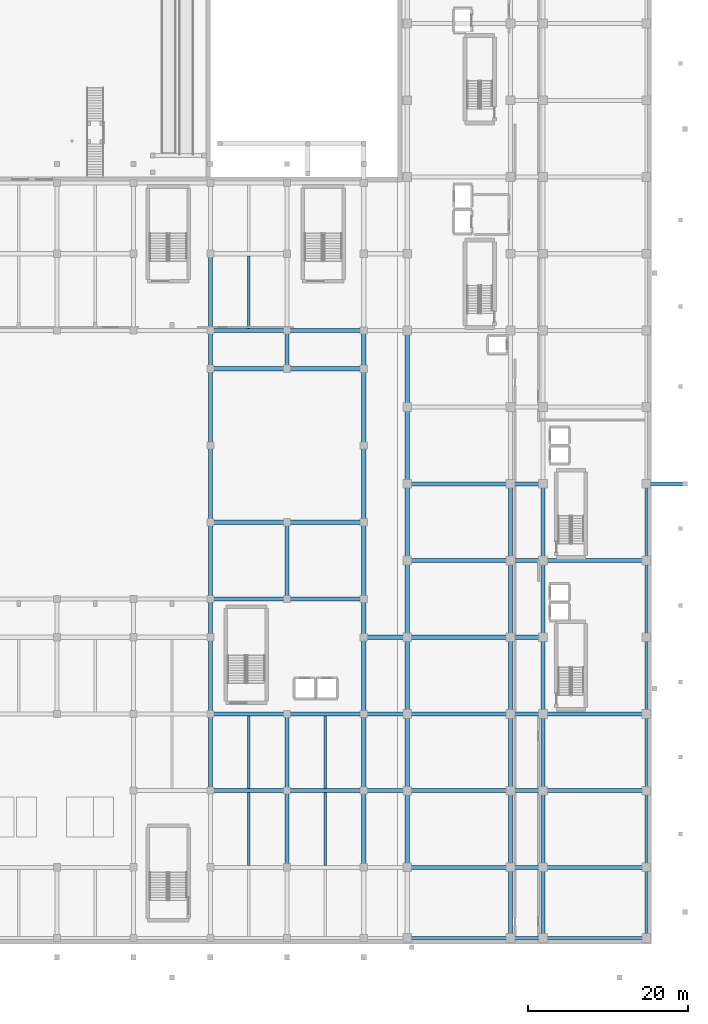
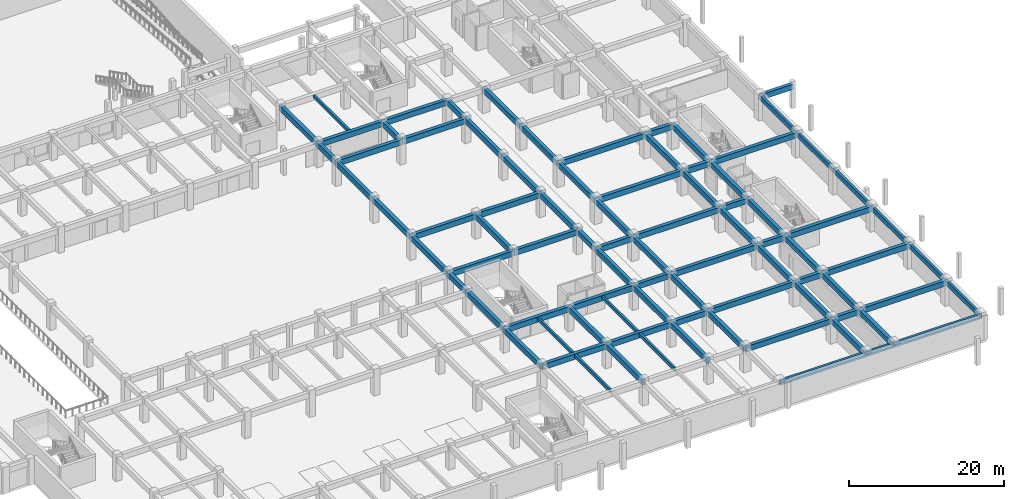
# One storey, part 7 of 39: 85 beams.
"""IFC4 building model written with IfcOpenShell, lengths in metres."""

from ifc_helpers import new_model, si_unit, direction, frame, origin, origin_2d, place, context, subcontext, project, spatial, rectangle, extrude, material, material_profile, profile_set, type_object, element, save


model = new_model("IFC4")

# Units and contexts
model_context = context("Model", 3, precision=1e-05, world=origin(), true_north=direction((0.0, 1.0)))
body_context = subcontext(model_context, "Body", "Model", "MODEL_VIEW")
ifc_project = project(units=[si_unit("LENGTHUNIT", "METRE"), si_unit("AREAUNIT", "SQUARE_METRE"), si_unit("VOLUMEUNIT", "CUBIC_METRE"), si_unit("PLANEANGLEUNIT", "RADIAN"), si_unit("MASSUNIT", "GRAM", prefix="KILO")], contexts=[model_context])

# Site, building, storey
site_placement = place(None, origin())
site = spatial("IfcSite", under=ifc_project, at=site_placement, CompositionType="ELEMENT")
building_placement = place(site_placement, origin())
building = spatial("IfcBuilding", under=site, at=building_placement, Name="Nakhvara Creek Congress Hotel", CompositionType="ELEMENT")
storey_placement = place(building_placement, frame((0.0, 0.0, -4.199951171875)))
storey = spatial("IfcBuildingStorey", under=building, at=storey_placement, Name="B1", CompositionType="ELEMENT", Elevation=-4.199951171875)

# Beams
ifc_material_1 = material(Name="Concrete C40/50", Category="concrete")
ifc_material_profile_1 = material_profile(ifc_material_1, rectangle(XDim=0.300048828125, YDim=0.5, at=origin_2d()), Name="RC-BM 300x500", Category="LoadBearing")
ifc_profile_set_1 = profile_set([ifc_material_profile_1], Name="Concrete C40/50")
beam_type_1 = type_object("IfcBeamType", Name="BM-JST-300X500", PredefinedType="JOIST", material=ifc_profile_set_1)
beam_1_placement = place(storey_placement, frame((129.60009765625, 9.860107421875, 3.530029296875), z_axis=(0.0, 1.0, 0.0), x_axis=(-1.0, 0.0, 0.0)))
element("IfcBeam", 1, at=beam_1_placement, inside=storey, type_object=beam_type_1, Name="Secondary Joist BJ1-B1-0714", PredefinedType="JOIST", context=body_context, shape_type="SweptSolid", body=[
    extrude(rectangle(XDim=0.300048828125, YDim=0.5, at=origin_2d()), origin(), (0.0, 0.0, 1.0), 9.079833984375),
])
beam_2_placement = place(storey_placement, frame((129.60009765625, 19.4599609375, 3.530029296875), z_axis=(0.0, 1.0, 0.0), x_axis=(-1.0, 0.0, 0.0)))
element("IfcBeam", 2, at=beam_2_placement, inside=storey, type_object=beam_type_1, Name="Secondary Joist BJ1-B1-0715", PredefinedType="JOIST", context=body_context, shape_type="SweptSolid", body=[
    extrude(rectangle(XDim=0.300048828125, YDim=0.5, at=origin_2d()), origin(), (0.0, 0.0, 1.0), 9.080078125),
])
for number, where, z_axis, x_axis, name in (
    (3, (129.60009765625, 77.06005859375, 3.530029296875), (0.0, 1.0, 0.0), (-1.0, 0.0, 0.0), "Secondary Joist BJ1-B1-0716"),
    (4, (139.199951171875, 9.860107421875, 3.530029296875), (0.0, 1.0, 0.0), (-1.0, 0.0, 0.0), "Secondary Joist BJ1-B1-0719"),
):
    element("IfcBeam", number, at=place(storey_placement, frame(where, z_axis=z_axis, x_axis=x_axis)), inside=storey, type_object=beam_type_1, Name=name, PredefinedType="JOIST", context=body_context, shape_type="SweptSolid", body=[
        extrude(rectangle(XDim=0.300048828125, YDim=0.5, at=origin_2d()), origin(), (0.0, 0.0, 1.0), 9.079833984375),
    ])
beam_3_placement = place(storey_placement, frame((139.199951171875, 19.4599609375, 3.530029296875), z_axis=(0.0, 1.0, 0.0), x_axis=(-1.0, 0.0, 0.0)))
element("IfcBeam", 5, at=beam_3_placement, inside=storey, type_object=beam_type_1, Name="Secondary Joist BJ1-B1-0720", PredefinedType="JOIST", context=body_context, shape_type="SweptSolid", body=[
    extrude(rectangle(XDim=0.300048828125, YDim=0.5, at=origin_2d()), origin(), (0.0, 0.0, 1.0), 9.080078125),
])
ifc_material_2 = material(Name="Concrete C50/60", Category="concrete")
ifc_material_profile_2 = material_profile(ifc_material_2, rectangle(XDim=0.52001953125, YDim=0.840087890625, at=origin_2d()), Name="RC-BM 520x840", Category="LoadBearing")
ifc_profile_set_2 = profile_set([ifc_material_profile_2], Name="Concrete C50/60")
beam_type_2 = type_object("IfcBeamType", Name="BM-RC-520X840", PredefinedType="BEAM", material=ifc_profile_set_2)
beam_4_placement = place(storey_placement, frame((124.800048828125, 19.199951171875, 3.35986328125), z_axis=(0.0, 1.0, 0.0), x_axis=(-1.0, 0.0, 0.0)))
element("IfcBeam", 6, at=beam_4_placement, inside=storey, type_object=beam_type_2, Name="Beam B14-B1-0539", PredefinedType="BEAM", context=body_context, shape_type="SweptSolid", body=[
    extrude(rectangle(XDim=0.52001953125, YDim=0.840087890625, at=origin_2d()), origin(), (0.0, 0.0, 1.0), 9.60009765625),
])
for number, where, z_axis, x_axis, name in (
    (7, (124.800048828125, 19.199951171875, 3.35986328125), (1.0, 0.0, 0.0), (0.0, 1.0, 0.0), "Beam B14-B1-0540"),
    (8, (124.800048828125, 28.800048828125, 3.35986328125), (0.0, 1.0, 0.0), (-1.0, 0.0, 0.0), "Beam B14-B1-0541"),
    (9, (124.800048828125, 28.800048828125, 3.35986328125), (1.0, 0.0, 0.0), (0.0, 1.0, 0.0), "Beam B14-B1-0542"),
):
    element("IfcBeam", number, at=place(storey_placement, frame(where, z_axis=z_axis, x_axis=x_axis)), inside=storey, type_object=beam_type_2, Name=name, PredefinedType="BEAM", context=body_context, shape_type="SweptSolid", body=[
        extrude(rectangle(XDim=0.52001953125, YDim=0.840087890625, at=origin_2d()), origin(), (0.0, 0.0, 1.0), 9.599853515625),
    ])
beam_5_placement = place(storey_placement, frame((124.800048828125, 38.39990234375, 3.35986328125), z_axis=(0.0, 1.0, 0.0), x_axis=(-1.0, 0.0, 0.0)))
element("IfcBeam", 10, at=beam_5_placement, inside=storey, type_object=beam_type_2, Name="Beam B14-B1-0543", PredefinedType="BEAM", context=body_context, shape_type="SweptSolid", body=[
    extrude(rectangle(XDim=0.52001953125, YDim=0.840087890625, at=origin_2d()), origin(), (0.0, 0.0, 1.0), 4.800048828125),
])
beam_6_placement = place(storey_placement, frame((124.800048828125, 43.199951171875, 3.35986328125), z_axis=(0.0, 1.0, 0.0), x_axis=(-1.0, 0.0, 0.0)))
element("IfcBeam", 11, at=beam_6_placement, inside=storey, type_object=beam_type_2, Name="Beam B14-B1-0544", PredefinedType="BEAM", context=body_context, shape_type="SweptSolid", body=[
    extrude(rectangle(XDim=0.52001953125, YDim=0.840087890625, at=origin_2d()), origin(), (0.0, 0.0, 1.0), 9.60009765625),
])
for number, where, z_axis, x_axis, name in (
    (12, (124.800048828125, 43.199951171875, 3.35986328125), (1.0, 0.0, 0.0), (0.0, 1.0, 0.0), "Beam B14-B1-0545"),
    (13, (124.800048828125, 52.800048828125, 3.35986328125), (0.0, 1.0, 0.0), (-1.0, 0.0, 0.0), "Beam B14-B1-0546"),
    (14, (124.800048828125, 52.800048828125, 3.35986328125), (1.0, 0.0, 0.0), (0.0, 1.0, 0.0), "Beam B14-B1-0547"),
):
    element("IfcBeam", number, at=place(storey_placement, frame(where, z_axis=z_axis, x_axis=x_axis)), inside=storey, type_object=beam_type_2, Name=name, PredefinedType="BEAM", context=body_context, shape_type="SweptSolid", body=[
        extrude(rectangle(XDim=0.52001953125, YDim=0.840087890625, at=origin_2d()), origin(), (0.0, 0.0, 1.0), 9.599853515625),
    ])
beam_7_placement = place(storey_placement, frame((124.800048828125, 62.39990234375, 3.35986328125), z_axis=(0.0, 1.0, 0.0), x_axis=(-1.0, 0.0, 0.0)))
element("IfcBeam", 15, at=beam_7_placement, inside=storey, type_object=beam_type_2, Name="Beam B14-B1-0548", PredefinedType="BEAM", context=body_context, shape_type="SweptSolid", body=[
    extrude(rectangle(XDim=0.52001953125, YDim=0.840087890625, at=origin_2d()), origin(), (0.0, 0.0, 1.0), 9.60009765625),
])
beam_8_placement = place(storey_placement, frame((124.800048828125, 72.0, 3.35986328125), z_axis=(0.0, 1.0, 0.0), x_axis=(-1.0, 0.0, 0.0)))
element("IfcBeam", 16, at=beam_8_placement, inside=storey, type_object=beam_type_2, Name="Beam B14-B1-0549", PredefinedType="BEAM", context=body_context, shape_type="SweptSolid", body=[
    extrude(rectangle(XDim=0.52001953125, YDim=0.840087890625, at=origin_2d()), origin(), (0.0, 0.0, 1.0), 4.800048828125),
])
for number, where, z_axis, x_axis, name in (
    (17, (124.800048828125, 72.0, 3.35986328125), (1.0, 0.0, 0.0), (0.0, 1.0, 0.0), "Beam B14-B1-0550"),
    (18, (124.800048828125, 76.800048828125, 3.35986328125), (0.0, 1.0, 0.0), (-1.0, 0.0, 0.0), "Beam B14-B1-0551"),
    (19, (124.800048828125, 76.800048828125, 3.35986328125), (1.0, 0.0, 0.0), (0.0, 1.0, 0.0), "Beam B14-B1-0552"),
    (20, (134.39990234375, 9.60009765625, 3.35986328125), (0.0, 1.0, 0.0), (-1.0, 0.0, 0.0), "Beam B14-B1-0558"),
):
    element("IfcBeam", number, at=place(storey_placement, frame(where, z_axis=z_axis, x_axis=x_axis)), inside=storey, type_object=beam_type_2, Name=name, PredefinedType="BEAM", context=body_context, shape_type="SweptSolid", body=[
        extrude(rectangle(XDim=0.52001953125, YDim=0.840087890625, at=origin_2d()), origin(), (0.0, 0.0, 1.0), 9.599853515625),
    ])
for number, where, z_axis, x_axis, name in (
    (21, (134.39990234375, 19.199951171875, 3.35986328125), (0.0, 1.0, 0.0), (-1.0, 0.0, 0.0), "Beam B14-B1-0560"),
    (22, (134.39990234375, 19.199951171875, 3.35986328125), (1.0, 0.0, 0.0), (0.0, 1.0, 0.0), "Beam B14-B1-0561"),
    (23, (134.39990234375, 28.800048828125, 3.35986328125), (1.0, 0.0, 0.0), (0.0, 1.0, 0.0), "Beam B14-B1-0562"),
    (24, (134.39990234375, 43.199951171875, 3.35986328125), (0.0, 1.0, 0.0), (-1.0, 0.0, 0.0), "Beam B14-B1-0563"),
    (25, (134.39990234375, 43.199951171875, 3.35986328125), (1.0, 0.0, 0.0), (0.0, 1.0, 0.0), "Beam B14-B1-0564"),
    (26, (134.39990234375, 52.800048828125, 3.35986328125), (1.0, 0.0, 0.0), (0.0, 1.0, 0.0), "Beam B14-B1-0565"),
):
    element("IfcBeam", number, at=place(storey_placement, frame(where, z_axis=z_axis, x_axis=x_axis)), inside=storey, type_object=beam_type_2, Name=name, PredefinedType="BEAM", context=body_context, shape_type="SweptSolid", body=[
        extrude(rectangle(XDim=0.52001953125, YDim=0.840087890625, at=origin_2d()), origin(), (0.0, 0.0, 1.0), 9.60009765625),
    ])
beam_9_placement = place(storey_placement, frame((134.39990234375, 72.0, 3.35986328125), z_axis=(0.0, 1.0, 0.0), x_axis=(-1.0, 0.0, 0.0)))
element("IfcBeam", 27, at=beam_9_placement, inside=storey, type_object=beam_type_2, Name="Beam B14-B1-0566", PredefinedType="BEAM", context=body_context, shape_type="SweptSolid", body=[
    extrude(rectangle(XDim=0.52001953125, YDim=0.840087890625, at=origin_2d()), origin(), (0.0, 0.0, 1.0), 4.800048828125),
])
for number, where, z_axis, x_axis, name in (
    (28, (134.39990234375, 72.0, 3.35986328125), (1.0, 0.0, 0.0), (0.0, 1.0, 0.0), "Beam B14-B1-0567"),
    (29, (134.39990234375, 76.800048828125, 3.35986328125), (1.0, 0.0, 0.0), (0.0, 1.0, 0.0), "Beam B14-B1-0569"),
):
    element("IfcBeam", number, at=place(storey_placement, frame(where, z_axis=z_axis, x_axis=x_axis)), inside=storey, type_object=beam_type_2, Name=name, PredefinedType="BEAM", context=body_context, shape_type="SweptSolid", body=[
        extrude(rectangle(XDim=0.52001953125, YDim=0.840087890625, at=origin_2d()), origin(), (0.0, 0.0, 1.0), 9.60009765625),
    ])
beam_10_placement = place(storey_placement, frame((144.0, 9.60009765625, 3.35986328125), z_axis=(0.0, 1.0, 0.0), x_axis=(-1.0, 0.0, 0.0)))
element("IfcBeam", 30, at=beam_10_placement, inside=storey, type_object=beam_type_2, Name="Beam B14-B1-0574", PredefinedType="BEAM", context=body_context, shape_type="SweptSolid", body=[
    extrude(rectangle(XDim=0.52001953125, YDim=0.840087890625, at=origin_2d()), origin(), (0.0, 0.0, 1.0), 9.599853515625),
])
beam_11_placement = place(storey_placement, frame((144.0, 19.199951171875, 3.35986328125), z_axis=(0.0, 1.0, 0.0), x_axis=(-1.0, 0.0, 0.0)))
element("IfcBeam", 31, at=beam_11_placement, inside=storey, type_object=beam_type_2, Name="Beam B14-B1-0576", PredefinedType="BEAM", context=body_context, shape_type="SweptSolid", body=[
    extrude(rectangle(XDim=0.52001953125, YDim=0.840087890625, at=origin_2d()), origin(), (0.0, 0.0, 1.0), 9.60009765625),
])
beam_12_placement = place(storey_placement, frame((144.0, 19.199951171875, 3.35986328125), z_axis=(1.0, 0.0, 0.0), x_axis=(0.0, 1.0, 0.0)))
element("IfcBeam", 32, at=beam_12_placement, inside=storey, type_object=beam_type_2, Name="Beam B14-B1-0577", PredefinedType="BEAM", context=body_context, shape_type="SweptSolid", body=[
    extrude(rectangle(XDim=0.52001953125, YDim=0.840087890625, at=origin_2d()), origin(), (0.0, 0.0, 1.0), 5.449951171875),
])
beam_13_placement = place(storey_placement, frame((144.0, 28.800048828125, 3.35986328125), z_axis=(0.0, 1.0, 0.0), x_axis=(-1.0, 0.0, 0.0)))
element("IfcBeam", 33, at=beam_13_placement, inside=storey, type_object=beam_type_2, Name="Beam B14-B1-0578", PredefinedType="BEAM", context=body_context, shape_type="SweptSolid", body=[
    extrude(rectangle(XDim=0.52001953125, YDim=0.840087890625, at=origin_2d()), origin(), (0.0, 0.0, 1.0), 9.599853515625),
])
beam_14_placement = place(storey_placement, frame((144.0, 28.800048828125, 3.35986328125), z_axis=(1.0, 0.0, 0.0), x_axis=(0.0, 1.0, 0.0)))
element("IfcBeam", 34, at=beam_14_placement, inside=storey, type_object=beam_type_2, Name="Beam B14-B1-0579", PredefinedType="BEAM", context=body_context, shape_type="SweptSolid", body=[
    extrude(rectangle(XDim=0.52001953125, YDim=0.840087890625, at=origin_2d()), origin(), (0.0, 0.0, 1.0), 5.449951171875),
])
beam_15_placement = place(storey_placement, frame((144.0, 38.39990234375, 3.35986328125), z_axis=(0.0, 1.0, 0.0), x_axis=(-1.0, 0.0, 0.0)))
element("IfcBeam", 35, at=beam_15_placement, inside=storey, type_object=beam_type_2, Name="Beam B14-B1-0580", PredefinedType="BEAM", context=body_context, shape_type="SweptSolid", body=[
    extrude(rectangle(XDim=0.52001953125, YDim=0.840087890625, at=origin_2d()), origin(), (0.0, 0.0, 1.0), 4.800048828125),
])
beam_16_placement = place(storey_placement, frame((144.0, 38.39990234375, 3.35986328125), z_axis=(1.0, 0.0, 0.0), x_axis=(0.0, 1.0, 0.0)))
element("IfcBeam", 36, at=beam_16_placement, inside=storey, type_object=beam_type_2, Name="Beam B14-B1-0581", PredefinedType="BEAM", context=body_context, shape_type="SweptSolid", body=[
    extrude(rectangle(XDim=0.52001953125, YDim=0.840087890625, at=origin_2d()), origin(), (0.0, 0.0, 1.0), 5.449951171875),
])
beam_17_placement = place(storey_placement, frame((144.0, 43.199951171875, 3.35986328125), z_axis=(0.0, 1.0, 0.0), x_axis=(-1.0, 0.0, 0.0)))
element("IfcBeam", 37, at=beam_17_placement, inside=storey, type_object=beam_type_2, Name="Beam B14-B1-0582", PredefinedType="BEAM", context=body_context, shape_type="SweptSolid", body=[
    extrude(rectangle(XDim=0.52001953125, YDim=0.840087890625, at=origin_2d()), origin(), (0.0, 0.0, 1.0), 9.60009765625),
])
beam_18_placement = place(storey_placement, frame((144.0, 52.800048828125, 3.35986328125), z_axis=(0.0, 1.0, 0.0), x_axis=(-1.0, 0.0, 0.0)))
element("IfcBeam", 38, at=beam_18_placement, inside=storey, type_object=beam_type_2, Name="Beam B14-B1-0583", PredefinedType="BEAM", context=body_context, shape_type="SweptSolid", body=[
    extrude(rectangle(XDim=0.52001953125, YDim=0.840087890625, at=origin_2d()), origin(), (0.0, 0.0, 1.0), 9.599853515625),
])
beam_19_placement = place(storey_placement, frame((144.0, 62.39990234375, 3.35986328125), z_axis=(0.0, 1.0, 0.0), x_axis=(-1.0, 0.0, 0.0)))
element("IfcBeam", 39, at=beam_19_placement, inside=storey, type_object=beam_type_2, Name="Beam B14-B1-0584", PredefinedType="BEAM", context=body_context, shape_type="SweptSolid", body=[
    extrude(rectangle(XDim=0.52001953125, YDim=0.840087890625, at=origin_2d()), origin(), (0.0, 0.0, 1.0), 9.60009765625),
])
beam_20_placement = place(storey_placement, frame((144.0, 72.0, 3.35986328125), z_axis=(0.0, 1.0, 0.0), x_axis=(-1.0, 0.0, 0.0)))
element("IfcBeam", 40, at=beam_20_placement, inside=storey, type_object=beam_type_2, Name="Beam B14-B1-0585", PredefinedType="BEAM", context=body_context, shape_type="SweptSolid", body=[
    extrude(rectangle(XDim=0.52001953125, YDim=0.840087890625, at=origin_2d()), origin(), (0.0, 0.0, 1.0), 4.800048828125),
])
beam_21_placement = place(storey_placement, frame((149.449951171875, 9.60009765625, 3.35986328125), z_axis=(0.0, 1.0, 0.0), x_axis=(-1.0, 0.0, 0.0)))
element("IfcBeam", 41, at=beam_21_placement, inside=storey, type_object=beam_type_2, Name="Beam B14-B1-0593", PredefinedType="BEAM", context=body_context, shape_type="SweptSolid", body=[
    extrude(rectangle(XDim=0.52001953125, YDim=0.840087890625, at=origin_2d()), origin(), (0.0, 0.0, 1.0), 9.599853515625),
])
beam_22_placement = place(storey_placement, frame((149.449951171875, 9.60009765625, 3.35986328125), z_axis=(1.0, 0.0, 0.0), x_axis=(0.0, 1.0, 0.0)))
element("IfcBeam", 42, at=beam_22_placement, inside=storey, type_object=beam_type_2, Name="Beam B14-B1-0594", PredefinedType="BEAM", context=body_context, shape_type="SweptSolid", body=[
    extrude(rectangle(XDim=0.52001953125, YDim=0.840087890625, at=origin_2d()), origin(), (0.0, 0.0, 1.0), 12.900146484375),
])
beam_23_placement = place(storey_placement, frame((149.449951171875, 19.199951171875, 3.35986328125), z_axis=(0.0, 1.0, 0.0), x_axis=(-1.0, 0.0, 0.0)))
element("IfcBeam", 43, at=beam_23_placement, inside=storey, type_object=beam_type_2, Name="Beam B14-B1-0595", PredefinedType="BEAM", context=body_context, shape_type="SweptSolid", body=[
    extrude(rectangle(XDim=0.52001953125, YDim=0.840087890625, at=origin_2d()), origin(), (0.0, 0.0, 1.0), 9.60009765625),
])
beam_24_placement = place(storey_placement, frame((149.449951171875, 19.199951171875, 3.35986328125), z_axis=(1.0, 0.0, 0.0), x_axis=(0.0, 1.0, 0.0)))
element("IfcBeam", 44, at=beam_24_placement, inside=storey, type_object=beam_type_2, Name="Beam B14-B1-0596", PredefinedType="BEAM", context=body_context, shape_type="SweptSolid", body=[
    extrude(rectangle(XDim=0.52001953125, YDim=0.840087890625, at=origin_2d()), origin(), (0.0, 0.0, 1.0), 12.900146484375),
])
beam_25_placement = place(storey_placement, frame((149.449951171875, 28.800048828125, 3.35986328125), z_axis=(0.0, 1.0, 0.0), x_axis=(-1.0, 0.0, 0.0)))
element("IfcBeam", 45, at=beam_25_placement, inside=storey, type_object=beam_type_2, Name="Beam B14-B1-0597", PredefinedType="BEAM", context=body_context, shape_type="SweptSolid", body=[
    extrude(rectangle(XDim=0.52001953125, YDim=0.840087890625, at=origin_2d()), origin(), (0.0, 0.0, 1.0), 9.599853515625),
])
beam_26_placement = place(storey_placement, frame((149.449951171875, 28.800048828125, 3.35986328125), z_axis=(1.0, 0.0, 0.0), x_axis=(0.0, 1.0, 0.0)))
element("IfcBeam", 46, at=beam_26_placement, inside=storey, type_object=beam_type_2, Name="Beam B14-B1-0598", PredefinedType="BEAM", context=body_context, shape_type="SweptSolid", body=[
    extrude(rectangle(XDim=0.52001953125, YDim=0.840087890625, at=origin_2d()), origin(), (0.0, 0.0, 1.0), 12.900146484375),
])
beam_27_placement = place(storey_placement, frame((149.449951171875, 38.39990234375, 3.35986328125), z_axis=(0.0, 1.0, 0.0), x_axis=(-1.0, 0.0, 0.0)))
element("IfcBeam", 47, at=beam_27_placement, inside=storey, type_object=beam_type_2, Name="Beam B14-B1-0599", PredefinedType="BEAM", context=body_context, shape_type="SweptSolid", body=[
    extrude(rectangle(XDim=0.52001953125, YDim=0.840087890625, at=origin_2d()), origin(), (0.0, 0.0, 1.0), 9.60009765625),
])
beam_28_placement = place(storey_placement, frame((149.449951171875, 38.39990234375, 3.35986328125), z_axis=(1.0, 0.0, 0.0), x_axis=(0.0, 1.0, 0.0)))
element("IfcBeam", 48, at=beam_28_placement, inside=storey, type_object=beam_type_2, Name="Beam B14-B1-0600", PredefinedType="BEAM", context=body_context, shape_type="SweptSolid", body=[
    extrude(rectangle(XDim=0.52001953125, YDim=0.840087890625, at=origin_2d()), origin(), (0.0, 0.0, 1.0), 12.900146484375),
])
beam_29_placement = place(storey_placement, frame((149.449951171875, 48.0, 3.35986328125), z_axis=(0.0, 1.0, 0.0), x_axis=(-1.0, 0.0, 0.0)))
element("IfcBeam", 49, at=beam_29_placement, inside=storey, type_object=beam_type_2, Name="Beam B14-B1-0601", PredefinedType="BEAM", context=body_context, shape_type="SweptSolid", body=[
    extrude(rectangle(XDim=0.52001953125, YDim=0.840087890625, at=origin_2d()), origin(), (0.0, 0.0, 1.0), 9.60009765625),
])
beam_30_placement = place(storey_placement, frame((149.449951171875, 48.0, 3.35986328125), z_axis=(1.0, 0.0, 0.0), x_axis=(0.0, 1.0, 0.0)))
element("IfcBeam", 50, at=beam_30_placement, inside=storey, type_object=beam_type_2, Name="Beam B14-B1-0602", PredefinedType="BEAM", context=body_context, shape_type="SweptSolid", body=[
    extrude(rectangle(XDim=0.52001953125, YDim=0.840087890625, at=origin_2d()), origin(), (0.0, 0.0, 1.0), 12.900146484375),
])
beam_31_placement = place(storey_placement, frame((149.449951171875, 57.60009765625, 3.35986328125), z_axis=(0.0, 1.0, 0.0), x_axis=(-1.0, 0.0, 0.0)))
element("IfcBeam", 51, at=beam_31_placement, inside=storey, type_object=beam_type_2, Name="Beam B14-B1-0603", PredefinedType="BEAM", context=body_context, shape_type="SweptSolid", body=[
    extrude(rectangle(XDim=0.52001953125, YDim=0.840087890625, at=origin_2d()), origin(), (0.0, 0.0, 1.0), 9.599853515625),
])
beam_32_placement = place(storey_placement, frame((149.449951171875, 57.60009765625, 3.35986328125), z_axis=(1.0, 0.0, 0.0), x_axis=(0.0, 1.0, 0.0)))
element("IfcBeam", 52, at=beam_32_placement, inside=storey, type_object=beam_type_2, Name="Beam B14-B1-0604", PredefinedType="BEAM", context=body_context, shape_type="SweptSolid", body=[
    extrude(rectangle(XDim=0.52001953125, YDim=0.840087890625, at=origin_2d()), origin(), (0.0, 0.0, 1.0), 12.900146484375),
])
beam_33_placement = place(storey_placement, frame((149.449951171875, 67.199951171875, 3.35986328125), z_axis=(0.0, 1.0, 0.0), x_axis=(-1.0, 0.0, 0.0)))
element("IfcBeam", 53, at=beam_33_placement, inside=storey, type_object=beam_type_2, Name="Beam B14-B1-0605", PredefinedType="BEAM", context=body_context, shape_type="SweptSolid", body=[
    extrude(rectangle(XDim=0.52001953125, YDim=0.840087890625, at=origin_2d()), origin(), (0.0, 0.0, 1.0), 9.60009765625),
])
beam_34_placement = place(storey_placement, frame((162.35009765625, 0.75, 3.35986328125), z_axis=(0.0, 1.0, 0.0), x_axis=(-1.0, 0.0, 0.0)))
element("IfcBeam", 54, at=beam_34_placement, inside=storey, type_object=beam_type_2, Name="Beam B14-B1-0616", PredefinedType="BEAM", context=body_context, shape_type="SweptSolid", body=[
    extrude(rectangle(XDim=0.52001953125, YDim=0.840087890625, at=origin_2d()), origin(), (0.0, 0.0, 1.0), 8.85009765625),
])
beam_35_placement = place(storey_placement, frame((162.35009765625, 9.60009765625, 3.35986328125), z_axis=(0.0, 1.0, 0.0), x_axis=(-1.0, 0.0, 0.0)))
element("IfcBeam", 55, at=beam_35_placement, inside=storey, type_object=beam_type_2, Name="Beam B14-B1-0618", PredefinedType="BEAM", context=body_context, shape_type="SweptSolid", body=[
    extrude(rectangle(XDim=0.52001953125, YDim=0.840087890625, at=origin_2d()), origin(), (0.0, 0.0, 1.0), 9.599853515625),
])
beam_36_placement = place(storey_placement, frame((162.35009765625, 9.60009765625, 3.35986328125), z_axis=(1.0, 0.0, 0.0), x_axis=(0.0, 1.0, 0.0)))
element("IfcBeam", 56, at=beam_36_placement, inside=storey, type_object=beam_type_2, Name="Beam B14-B1-0619", PredefinedType="BEAM", context=body_context, shape_type="SweptSolid", body=[
    extrude(rectangle(XDim=0.52001953125, YDim=0.840087890625, at=origin_2d()), origin(), (0.0, 0.0, 1.0), 4.099853515625),
])
beam_37_placement = place(storey_placement, frame((162.35009765625, 19.199951171875, 3.35986328125), z_axis=(0.0, 1.0, 0.0), x_axis=(-1.0, 0.0, 0.0)))
element("IfcBeam", 57, at=beam_37_placement, inside=storey, type_object=beam_type_2, Name="Beam B14-B1-0620", PredefinedType="BEAM", context=body_context, shape_type="SweptSolid", body=[
    extrude(rectangle(XDim=0.52001953125, YDim=0.840087890625, at=origin_2d()), origin(), (0.0, 0.0, 1.0), 9.60009765625),
])
beam_38_placement = place(storey_placement, frame((162.35009765625, 19.199951171875, 3.35986328125), z_axis=(1.0, 0.0, 0.0), x_axis=(0.0, 1.0, 0.0)))
element("IfcBeam", 58, at=beam_38_placement, inside=storey, type_object=beam_type_2, Name="Beam B14-B1-0621", PredefinedType="BEAM", context=body_context, shape_type="SweptSolid", body=[
    extrude(rectangle(XDim=0.52001953125, YDim=0.840087890625, at=origin_2d()), origin(), (0.0, 0.0, 1.0), 4.099853515625),
])
beam_39_placement = place(storey_placement, frame((162.35009765625, 28.800048828125, 3.35986328125), z_axis=(0.0, 1.0, 0.0), x_axis=(-1.0, 0.0, 0.0)))
element("IfcBeam", 59, at=beam_39_placement, inside=storey, type_object=beam_type_2, Name="Beam B14-B1-0622", PredefinedType="BEAM", context=body_context, shape_type="SweptSolid", body=[
    extrude(rectangle(XDim=0.52001953125, YDim=0.840087890625, at=origin_2d()), origin(), (0.0, 0.0, 1.0), 9.599853515625),
])
beam_40_placement = place(storey_placement, frame((162.35009765625, 28.800048828125, 3.35986328125), z_axis=(1.0, 0.0, 0.0), x_axis=(0.0, 1.0, 0.0)))
element("IfcBeam", 60, at=beam_40_placement, inside=storey, type_object=beam_type_2, Name="Beam B14-B1-0623", PredefinedType="BEAM", context=body_context, shape_type="SweptSolid", body=[
    extrude(rectangle(XDim=0.52001953125, YDim=0.840087890625, at=origin_2d()), origin(), (0.0, 0.0, 1.0), 4.099853515625),
])
beam_41_placement = place(storey_placement, frame((162.35009765625, 38.39990234375, 3.35986328125), z_axis=(0.0, 1.0, 0.0), x_axis=(-1.0, 0.0, 0.0)))
element("IfcBeam", 61, at=beam_41_placement, inside=storey, type_object=beam_type_2, Name="Beam B14-B1-0624", PredefinedType="BEAM", context=body_context, shape_type="SweptSolid", body=[
    extrude(rectangle(XDim=0.52001953125, YDim=0.840087890625, at=origin_2d()), origin(), (0.0, 0.0, 1.0), 9.60009765625),
])
beam_42_placement = place(storey_placement, frame((162.35009765625, 38.39990234375, 3.35986328125), z_axis=(1.0, 0.0, 0.0), x_axis=(0.0, 1.0, 0.0)))
element("IfcBeam", 62, at=beam_42_placement, inside=storey, type_object=beam_type_2, Name="Beam B14-B1-0625", PredefinedType="BEAM", context=body_context, shape_type="SweptSolid", body=[
    extrude(rectangle(XDim=0.52001953125, YDim=0.840087890625, at=origin_2d()), origin(), (0.0, 0.0, 1.0), 4.099853515625),
])
beam_43_placement = place(storey_placement, frame((162.35009765625, 48.0, 3.35986328125), z_axis=(0.0, 1.0, 0.0), x_axis=(-1.0, 0.0, 0.0)))
element("IfcBeam", 63, at=beam_43_placement, inside=storey, type_object=beam_type_2, Name="Beam B14-B1-0626", PredefinedType="BEAM", context=body_context, shape_type="SweptSolid", body=[
    extrude(rectangle(XDim=0.52001953125, YDim=0.840087890625, at=origin_2d()), origin(), (0.0, 0.0, 1.0), 9.60009765625),
])
for number, where, z_axis, x_axis, name in (
    (64, (162.35009765625, 48.0, 3.35986328125), (1.0, 0.0, 0.0), (0.0, 1.0, 0.0), "Beam B14-B1-0627"),
    (65, (162.35009765625, 57.60009765625, 3.35986328125), (1.0, 0.0, 0.0), (0.0, 1.0, 0.0), "Beam B14-B1-0629"),
):
    element("IfcBeam", number, at=place(storey_placement, frame(where, z_axis=z_axis, x_axis=x_axis)), inside=storey, type_object=beam_type_2, Name=name, PredefinedType="BEAM", context=body_context, shape_type="SweptSolid", body=[
        extrude(rectangle(XDim=0.52001953125, YDim=0.840087890625, at=origin_2d()), origin(), (0.0, 0.0, 1.0), 4.099853515625),
    ])
beam_44_placement = place(storey_placement, frame((166.449951171875, 0.75, 3.35986328125), z_axis=(0.0, 1.0, 0.0), x_axis=(-1.0, 0.0, 0.0)))
element("IfcBeam", 66, at=beam_44_placement, inside=storey, type_object=beam_type_2, Name="Beam B14-B1-0643", PredefinedType="BEAM", context=body_context, shape_type="SweptSolid", body=[
    extrude(rectangle(XDim=0.52001953125, YDim=0.840087890625, at=origin_2d()), origin(), (0.0, 0.0, 1.0), 8.85009765625),
])
beam_45_placement = place(storey_placement, frame((166.449951171875, 9.60009765625, 3.35986328125), z_axis=(0.0, 1.0, 0.0), x_axis=(-1.0, 0.0, 0.0)))
element("IfcBeam", 67, at=beam_45_placement, inside=storey, type_object=beam_type_2, Name="Beam B14-B1-0645", PredefinedType="BEAM", context=body_context, shape_type="SweptSolid", body=[
    extrude(rectangle(XDim=0.52001953125, YDim=0.840087890625, at=origin_2d()), origin(), (0.0, 0.0, 1.0), 9.599853515625),
])
beam_46_placement = place(storey_placement, frame((166.449951171875, 9.60009765625, 3.35986328125), z_axis=(1.0, 0.0, 0.0), x_axis=(0.0, 1.0, 0.0)))
element("IfcBeam", 68, at=beam_46_placement, inside=storey, type_object=beam_type_2, Name="Beam B14-B1-0646", PredefinedType="BEAM", context=body_context, shape_type="SweptSolid", body=[
    extrude(rectangle(XDim=0.52001953125, YDim=0.840087890625, at=origin_2d()), origin(), (0.0, 0.0, 1.0), 12.900146484375),
])
beam_47_placement = place(storey_placement, frame((166.449951171875, 19.199951171875, 3.35986328125), z_axis=(0.0, 1.0, 0.0), x_axis=(-1.0, 0.0, 0.0)))
element("IfcBeam", 69, at=beam_47_placement, inside=storey, type_object=beam_type_2, Name="Beam B14-B1-0647", PredefinedType="BEAM", context=body_context, shape_type="SweptSolid", body=[
    extrude(rectangle(XDim=0.52001953125, YDim=0.840087890625, at=origin_2d()), origin(), (0.0, 0.0, 1.0), 9.60009765625),
])
beam_48_placement = place(storey_placement, frame((166.449951171875, 19.199951171875, 3.35986328125), z_axis=(1.0, 0.0, 0.0), x_axis=(0.0, 1.0, 0.0)))
element("IfcBeam", 70, at=beam_48_placement, inside=storey, type_object=beam_type_2, Name="Beam B14-B1-0648", PredefinedType="BEAM", context=body_context, shape_type="SweptSolid", body=[
    extrude(rectangle(XDim=0.52001953125, YDim=0.840087890625, at=origin_2d()), origin(), (0.0, 0.0, 1.0), 12.900146484375),
])
beam_49_placement = place(storey_placement, frame((166.449951171875, 28.800048828125, 3.35986328125), z_axis=(0.0, 1.0, 0.0), x_axis=(-1.0, 0.0, 0.0)))
element("IfcBeam", 71, at=beam_49_placement, inside=storey, type_object=beam_type_2, Name="Beam B14-B1-0649", PredefinedType="BEAM", context=body_context, shape_type="SweptSolid", body=[
    extrude(rectangle(XDim=0.52001953125, YDim=0.840087890625, at=origin_2d()), origin(), (0.0, 0.0, 1.0), 9.599853515625),
])
beam_50_placement = place(storey_placement, frame((166.449951171875, 28.800048828125, 3.35986328125), z_axis=(1.0, 0.0, 0.0), x_axis=(0.0, 1.0, 0.0)))
element("IfcBeam", 72, at=beam_50_placement, inside=storey, type_object=beam_type_2, Name="Beam B14-B1-0650", PredefinedType="BEAM", context=body_context, shape_type="SweptSolid", body=[
    extrude(rectangle(XDim=0.52001953125, YDim=0.840087890625, at=origin_2d()), origin(), (0.0, 0.0, 1.0), 12.900146484375),
])
for number, where, z_axis, x_axis, name in (
    (73, (166.449951171875, 38.39990234375, 3.35986328125), (0.0, 1.0, 0.0), (-1.0, 0.0, 0.0), "Beam B14-B1-0651"),
    (74, (166.449951171875, 48.0, 3.35986328125), (0.0, 1.0, 0.0), (-1.0, 0.0, 0.0), "Beam B14-B1-0652"),
):
    element("IfcBeam", number, at=place(storey_placement, frame(where, z_axis=z_axis, x_axis=x_axis)), inside=storey, type_object=beam_type_2, Name=name, PredefinedType="BEAM", context=body_context, shape_type="SweptSolid", body=[
        extrude(rectangle(XDim=0.52001953125, YDim=0.840087890625, at=origin_2d()), origin(), (0.0, 0.0, 1.0), 9.60009765625),
    ])
beam_51_placement = place(storey_placement, frame((166.449951171875, 48.0, 3.35986328125), z_axis=(1.0, 0.0, 0.0), x_axis=(0.0, 1.0, 0.0)))
element("IfcBeam", 75, at=beam_51_placement, inside=storey, type_object=beam_type_2, Name="Beam B14-B1-0653", PredefinedType="BEAM", context=body_context, shape_type="SweptSolid", body=[
    extrude(rectangle(XDim=0.52001953125, YDim=0.840087890625, at=origin_2d()), origin(), (0.0, 0.0, 1.0), 12.900146484375),
])
beam_52_placement = place(storey_placement, frame((179.35009765625, 57.60009765625, 3.35986328125), z_axis=(1.0, 0.0, 0.0), x_axis=(0.0, 1.0, 0.0)))
element("IfcBeam", 76, at=beam_52_placement, inside=storey, type_object=beam_type_2, Name="Beam B14-B1-0675", PredefinedType="BEAM", context=body_context, shape_type="SweptSolid", body=[
    extrude(rectangle(XDim=0.52001953125, YDim=0.840087890625, at=origin_2d()), origin(), (0.0, 0.0, 1.0), 4.849853515625),
])
ifc_material_profile_3 = material_profile(ifc_material_1, rectangle(XDim=0.35009765625, YDim=0.75, at=origin_2d()), Name="RC-SPANDREL 350x750", Category="LoadBearing")
ifc_profile_set_3 = profile_set([ifc_material_profile_3], Name="Concrete C40/50")
beam_type_3 = type_object("IfcBeamType", Name="BM-SPN-350X750", PredefinedType="SPANDREL", material=ifc_profile_set_3)
beam_53_placement = place(storey_placement, frame((149.449951171875, 0.75, 3.405029296875), z_axis=(1.0, 0.0, 0.0), x_axis=(0.0, 1.0, 0.0)))
element("IfcBeam", 77, at=beam_53_placement, inside=storey, type_object=beam_type_3, Name="Beam SP1-B1-0592", PredefinedType="SPANDREL", context=body_context, shape_type="SweptSolid", body=[
    extrude(rectangle(XDim=0.35009765625, YDim=0.75, at=origin_2d()), origin(), (0.0, 0.0, 1.0), 12.900146484375),
])
beam_54_placement = place(storey_placement, frame((162.35009765625, 0.75, 3.405029296875), z_axis=(1.0, 0.0, 0.0), x_axis=(0.0, 1.0, 0.0)))
element("IfcBeam", 78, at=beam_54_placement, inside=storey, type_object=beam_type_3, Name="Beam SP1-B1-0617", PredefinedType="SPANDREL", context=body_context, shape_type="SweptSolid", body=[
    extrude(rectangle(XDim=0.35009765625, YDim=0.75, at=origin_2d()), origin(), (0.0, 0.0, 1.0), 4.099853515625),
])
beam_55_placement = place(storey_placement, frame((166.449951171875, 0.75, 3.405029296875), z_axis=(1.0, 0.0, 0.0), x_axis=(0.0, 1.0, 0.0)))
element("IfcBeam", 79, at=beam_55_placement, inside=storey, type_object=beam_type_3, Name="Beam SP1-B1-0644", PredefinedType="SPANDREL", context=body_context, shape_type="SweptSolid", body=[
    extrude(rectangle(XDim=0.35009765625, YDim=0.75, at=origin_2d()), origin(), (0.0, 0.0, 1.0), 12.900146484375),
])
beam_56_placement = place(storey_placement, frame((179.35009765625, 0.75, 3.405029296875), z_axis=(0.0, 1.0, 0.0), x_axis=(-1.0, 0.0, 0.0)))
element("IfcBeam", 80, at=beam_56_placement, inside=storey, type_object=beam_type_3, Name="Beam SP1-B1-0668", PredefinedType="SPANDREL", context=body_context, shape_type="SweptSolid", body=[
    extrude(rectangle(XDim=0.35009765625, YDim=0.75, at=origin_2d()), origin(), (0.0, 0.0, 1.0), 8.85009765625),
])
beam_57_placement = place(storey_placement, frame((179.35009765625, 9.60009765625, 3.405029296875), z_axis=(0.0, 1.0, 0.0), x_axis=(-1.0, 0.0, 0.0)))
element("IfcBeam", 81, at=beam_57_placement, inside=storey, type_object=beam_type_3, Name="Beam SP1-B1-0669", PredefinedType="SPANDREL", context=body_context, shape_type="SweptSolid", body=[
    extrude(rectangle(XDim=0.35009765625, YDim=0.75, at=origin_2d()), origin(), (0.0, 0.0, 1.0), 9.599853515625),
])
beam_58_placement = place(storey_placement, frame((179.35009765625, 19.199951171875, 3.405029296875), z_axis=(0.0, 1.0, 0.0), x_axis=(-1.0, 0.0, 0.0)))
element("IfcBeam", 82, at=beam_58_placement, inside=storey, type_object=beam_type_3, Name="Beam SP1-B1-0670", PredefinedType="SPANDREL", context=body_context, shape_type="SweptSolid", body=[
    extrude(rectangle(XDim=0.35009765625, YDim=0.75, at=origin_2d()), origin(), (0.0, 0.0, 1.0), 9.60009765625),
])
beam_59_placement = place(storey_placement, frame((179.35009765625, 28.800048828125, 3.405029296875), z_axis=(0.0, 1.0, 0.0), x_axis=(-1.0, 0.0, 0.0)))
element("IfcBeam", 83, at=beam_59_placement, inside=storey, type_object=beam_type_3, Name="Beam SP1-B1-0671", PredefinedType="SPANDREL", context=body_context, shape_type="SweptSolid", body=[
    extrude(rectangle(XDim=0.35009765625, YDim=0.75, at=origin_2d()), origin(), (0.0, 0.0, 1.0), 9.599853515625),
])
for number, where, z_axis, x_axis, name in (
    (84, (179.35009765625, 38.39990234375, 3.405029296875), (0.0, 1.0, 0.0), (-1.0, 0.0, 0.0), "Beam SP1-B1-0672"),
    (85, (179.35009765625, 48.0, 3.405029296875), (0.0, 1.0, 0.0), (-1.0, 0.0, 0.0), "Beam SP1-B1-0673"),
):
    element("IfcBeam", number, at=place(storey_placement, frame(where, z_axis=z_axis, x_axis=x_axis)), inside=storey, type_object=beam_type_3, Name=name, PredefinedType="SPANDREL", context=body_context, shape_type="SweptSolid", body=[
        extrude(rectangle(XDim=0.35009765625, YDim=0.75, at=origin_2d()), origin(), (0.0, 0.0, 1.0), 9.60009765625),
    ])

save(model, "model.ifc")
